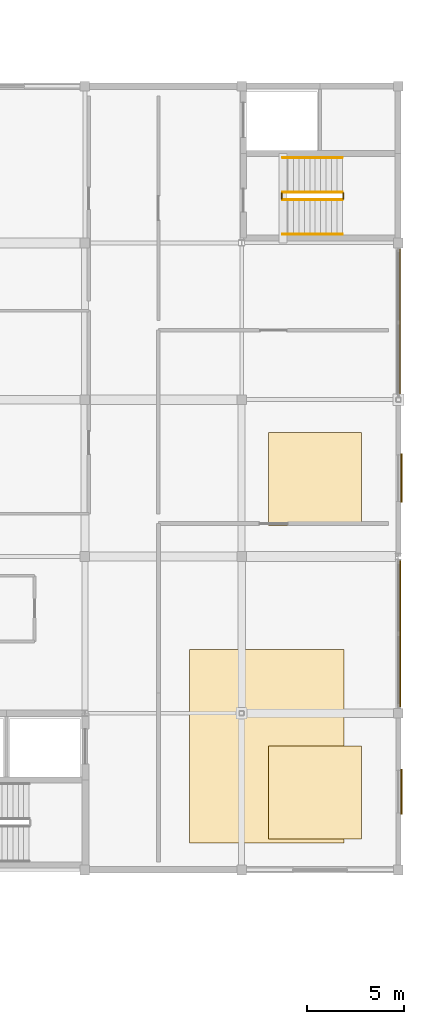
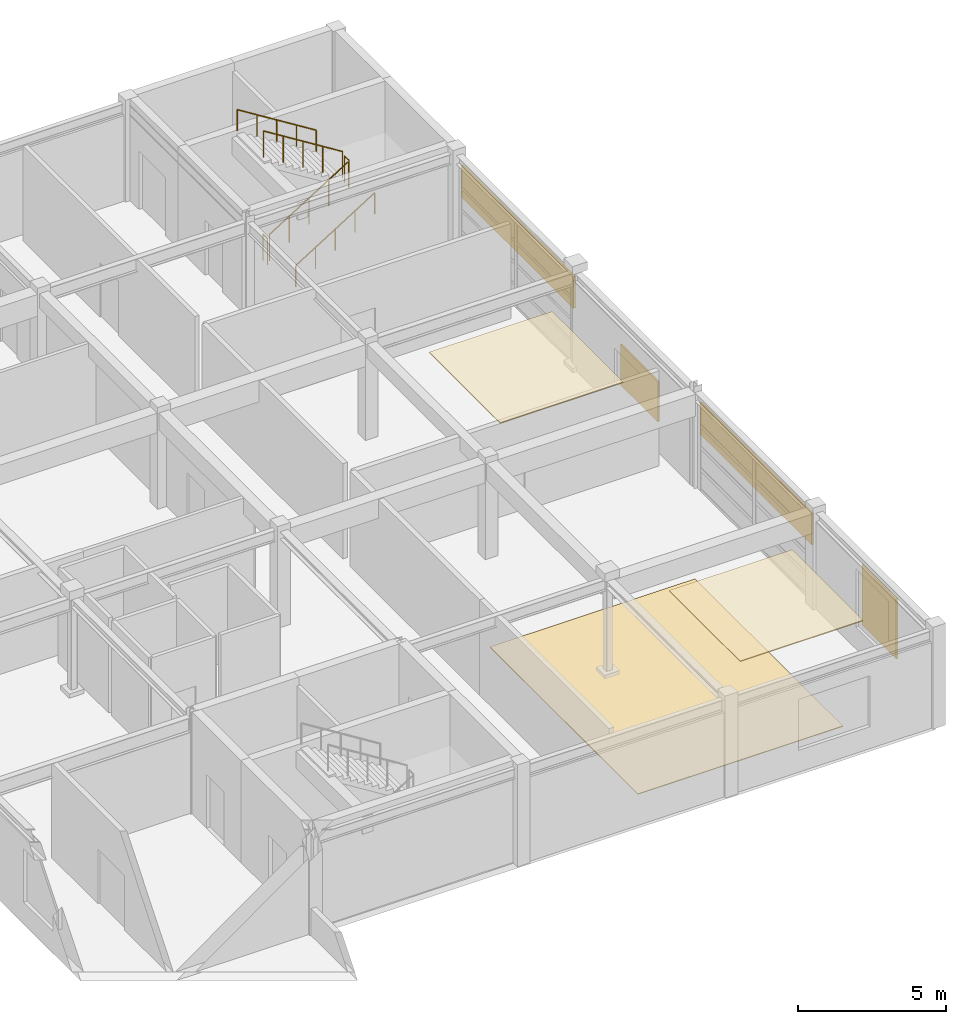
# One storey, part 54 of 54: 6 railings, 4 shading devices, 3 coverings.
"""IFC4 building model written with IfcOpenShell, lengths in metres."""

from ifc_helpers import new_model, si_unit, direction, frame, origin, origin_2d, place, context, subcontext, project, spatial, rectangle, circle, extrude, material, layer, layer_set, type_object, element, save


model = new_model("IFC4")

# Units and contexts
model_context = context("Model", 3, precision=1e-05, world=origin(), true_north=direction((0.0, 1.0)))
body_context = subcontext(model_context, "Body", "Model", "MODEL_VIEW")
ifc_project = project(units=[si_unit("LENGTHUNIT", "METRE"), si_unit("AREAUNIT", "SQUARE_METRE"), si_unit("VOLUMEUNIT", "CUBIC_METRE"), si_unit("PLANEANGLEUNIT", "RADIAN"), si_unit("MASSUNIT", "GRAM", prefix="KILO")], contexts=[model_context])

# Site, building, storey
site_placement = place(None, origin())
site = spatial("IfcSite", under=ifc_project, at=site_placement, CompositionType="ELEMENT")
building_placement = place(site_placement, origin())
building = spatial("IfcBuilding", under=site, at=building_placement, Name="Parian Resonance Hall", CompositionType="ELEMENT")
storey_placement = place(building_placement, frame((0.0, 0.0, 15.0)))
storey = spatial("IfcBuildingStorey", under=building, at=storey_placement, Name="L03", CompositionType="ELEMENT", Elevation=15.0)

# Coverings
ifc_material_1 = material(Name="Perforated mahogany and mineral-wool acoustic ceiling")
ifc_layer_1 = layer(ifc_material_1, 0.0400390625)
ifc_layer_set_1 = layer_set([ifc_layer_1], Name="Perforated mahogany and mineral-wool acoustic ceiling")
covering_type_1 = type_object("IfcCoveringType", Name="COV-CEIL-ACOUSTIC", PredefinedType="CEILING", material=ifc_layer_set_1)
for number, where, z_axis, x_axis, name in (
    (1, (141.5, 52.60009765625, 3.911865234375), (0.0, 0.0, 1.0), (1.0, 0.0, 0.0), "Suspended mahogany acoustic ceiling canopy L03-07"),
    (2, (141.5, 68.800048828125, 3.911865234375), (0.0, 0.0, 1.0), (1.0, 0.0, 0.0), "Suspended mahogany acoustic ceiling canopy L03-08"),
):
    element("IfcCovering", number, at=place(storey_placement, frame(where, z_axis=z_axis, x_axis=x_axis)), inside=storey, type_object=covering_type_1, Name=name, PredefinedType="CEILING", context=body_context, shape_type="SweptSolid", body=[
        extrude(rectangle(XDim=4.800048828125, YDim=4.800048828125, at=origin_2d()), origin(), (0.0, 0.0, 1.0), 0.0400390625),
    ])
ifc_material_2 = material(Name="Sprung Philippine narra hardwood stage flooring", Category="wood")
ifc_layer_2 = layer(ifc_material_2, 0.030029296875)
ifc_layer_set_2 = layer_set([ifc_layer_2], Name="Sprung Philippine narra hardwood stage flooring")
covering_type_2 = type_object("IfcCoveringType", Name="COV-FLOOR-NARRA", PredefinedType="FLOORING", material=ifc_layer_set_2)
covering_placement = place(storey_placement, frame((139.0, 55.0, 0.0), z_axis=(0.0, 0.0, 1.0), x_axis=(1.0, 0.0, 0.0)))
element("IfcCovering", 3, at=covering_placement, inside=storey, type_object=covering_type_2, Name="Choir Rehearsal Room narra flooring", PredefinedType="FLOORING", context=body_context, shape_type="SweptSolid", body=[
    extrude(rectangle(XDim=8.0, YDim=10.0, at=origin_2d()), origin(), (0.0, 0.0, 1.0), 0.030029296875),
])

# Railings
ifc_material_3 = material(Name="Patinated bronze whiplash metalwork")
railing_type_1 = type_object("IfcRailingType", Name="RAIL-STAIR-GRD-1100", PredefinedType="GUARDRAIL", material=ifc_material_3)
railing_1_placement = place(storey_placement, frame((139.820068359375, 83.22998046875, 0.175048828125)))
element("IfcRailing", 4, at=railing_1_placement, inside=storey, type_object=railing_type_1, Name="L03 ST-06 stair guard 1", PredefinedType="GUARDRAIL", context=body_context, shape_type="SweptSolid", body=[
    extrude(circle(Radius=0.02392578125, at=origin_2d()), frame((0.0, 0.0, 1.076171875), z_axis=(0.847979421464, 0.0, 0.530029150871), x_axis=(0.0, 1.0, 0.0)), (0.0, 0.0, 1.0), 3.632080078125),
    extrude(circle(Radius=0.02099609375, at=origin_2d()), origin(), (0.0, 0.0, 1.0), 1.052001953125),
    extrude(circle(Radius=0.02099609375, at=origin_2d()), frame((0.77001953125, 0.0, 0.481201171875)), (0.0, 0.0, 1.0), 1.052001953125),
    extrude(circle(Radius=0.02099609375, at=origin_2d()), frame((1.5400390625, 0.0, 0.96240234375)), (0.0, 0.0, 1.0), 1.052001953125),
    extrude(circle(Radius=0.02099609375, at=origin_2d()), frame((2.309814453125, 0.0, 1.44384765625)), (0.0, 0.0, 1.0), 1.052001953125),
    extrude(circle(Radius=0.02099609375, at=origin_2d()), frame((3.079833984375, 0.0, 1.925048828125)), (0.0, 0.0, 1.0), 1.052001953125),
])
railing_2_placement = place(storey_placement, frame((142.949951171875, 83.280029296875, 2.10009765625)))
element("IfcRailing", 5, at=railing_2_placement, inside=storey, type_object=railing_type_1, Name="L03 ST-06 stair guard 2", PredefinedType="GUARDRAIL", context=body_context, shape_type="SweptSolid", body=[
    extrude(circle(Radius=0.02392578125, at=origin_2d()), frame((0.0, 0.0, 1.076171875), z_axis=(0.0, 1.0, 0.0), x_axis=(-1.0, 0.0, 0.0)), (0.0, 0.0, 1.0), 0.300048828125),
    extrude(circle(Radius=0.02099609375, at=origin_2d()), origin(), (0.0, 0.0, 1.0), 1.052001953125),
    extrude(circle(Radius=0.02099609375, at=origin_2d()), frame((0.0, 0.300048828125, 0.0)), (0.0, 0.0, 1.0), 1.052001953125),
])
railing_3_placement = place(storey_placement, frame((142.89990234375, 83.6298828125, 2.27490234375)))
element("IfcRailing", 6, at=railing_3_placement, inside=storey, type_object=railing_type_1, Name="L03 ST-06 stair guard 3", PredefinedType="GUARDRAIL", context=body_context, shape_type="SweptSolid", body=[
    extrude(circle(Radius=0.02392578125, at=origin_2d()), frame((0.0, 0.0, 1.076171875), z_axis=(-0.847979421464, 0.0, 0.530029150871), x_axis=(0.0, -1.0, 0.0)), (0.0, 0.0, 1.0), 3.632080078125),
    extrude(circle(Radius=0.02099609375, at=origin_2d()), origin(), (0.0, 0.0, 1.0), 1.052001953125),
    extrude(circle(Radius=0.02099609375, at=origin_2d()), frame((-0.77001953125, 0.0, 0.481201171875)), (0.0, 0.0, 1.0), 1.052001953125),
    extrude(circle(Radius=0.02099609375, at=origin_2d()), frame((-1.5400390625, 0.0, 0.96240234375)), (0.0, 0.0, 1.0), 1.052001953125),
    extrude(circle(Radius=0.02099609375, at=origin_2d()), frame((-2.309814453125, 0.0, 1.44384765625)), (0.0, 0.0, 1.0), 1.052001953125),
    extrude(circle(Radius=0.02099609375, at=origin_2d()), frame((-3.079833984375, 0.0, 1.925048828125)), (0.0, 0.0, 1.0), 1.052001953125),
])
railing_4_placement = place(storey_placement, frame((139.77001953125, 83.280029296875, 0.0)))
element("IfcRailing", 7, at=railing_4_placement, inside=storey, type_object=railing_type_1, Name="L03 ST-06 stair guard 4", PredefinedType="GUARDRAIL", context=body_context, shape_type="SweptSolid", body=[
    extrude(circle(Radius=0.02392578125, at=origin_2d()), frame((0.0, 0.0, 1.076171875), z_axis=(0.0, 1.0, 0.0), x_axis=(-1.0, 0.0, 0.0)), (0.0, 0.0, 1.0), 0.300048828125),
    extrude(circle(Radius=0.02099609375, at=origin_2d()), origin(), (0.0, 0.0, 1.0), 1.052001953125),
    extrude(circle(Radius=0.02099609375, at=origin_2d()), frame((0.0, 0.300048828125, 0.0)), (0.0, 0.0, 1.0), 1.052001953125),
])
ifc_material_4 = material(Name="Patinated bronze whiplash metalwork")
railing_type_2 = type_object("IfcRailingType", Name="RAIL-STAIR-HR-900", PredefinedType="HANDRAIL", material=ifc_material_4)
railing_5_placement = place(storey_placement, frame((139.820068359375, 81.449951171875, 0.175048828125)))
element("IfcRailing", 8, at=railing_5_placement, inside=storey, type_object=railing_type_2, Name="L03 ST-06 stair handrail 1", PredefinedType="HANDRAIL", context=body_context, shape_type="SweptSolid", body=[
    extrude(circle(Radius=0.02392578125, at=origin_2d()), frame((0.0, 0.0, 0.8759765625), z_axis=(0.847979421464, 0.0, 0.530029150871), x_axis=(0.0, 1.0, 0.0)), (0.0, 0.0, 1.0), 3.632080078125),
    extrude(circle(Radius=0.02099609375, at=origin_2d()), origin(), (0.0, 0.0, 1.0), 0.851806640625),
    extrude(circle(Radius=0.02099609375, at=origin_2d()), frame((0.77001953125, 0.0, 0.481201171875)), (0.0, 0.0, 1.0), 0.851806640625),
    extrude(circle(Radius=0.02099609375, at=origin_2d()), frame((1.5400390625, 0.0, 0.96240234375)), (0.0, 0.0, 1.0), 0.851806640625),
    extrude(circle(Radius=0.02099609375, at=origin_2d()), frame((2.309814453125, 0.0, 1.44384765625)), (0.0, 0.0, 1.0), 0.851806640625),
    extrude(circle(Radius=0.02099609375, at=origin_2d()), frame((3.079833984375, 0.0, 1.925048828125)), (0.0, 0.0, 1.0), 0.851806640625),
])
railing_6_placement = place(storey_placement, frame((142.89990234375, 85.409912109375, 2.27490234375)))
element("IfcRailing", 9, at=railing_6_placement, inside=storey, type_object=railing_type_2, Name="L03 ST-06 stair handrail 2", PredefinedType="HANDRAIL", context=body_context, shape_type="SweptSolid", body=[
    extrude(circle(Radius=0.02392578125, at=origin_2d()), frame((0.0, 0.0, 0.8759765625), z_axis=(-0.847979421464, 0.0, 0.530029150871), x_axis=(0.0, -1.0, 0.0)), (0.0, 0.0, 1.0), 3.632080078125),
    extrude(circle(Radius=0.02099609375, at=origin_2d()), origin(), (0.0, 0.0, 1.0), 0.851806640625),
    extrude(circle(Radius=0.02099609375, at=origin_2d()), frame((-0.77001953125, 0.0, 0.481201171875)), (0.0, 0.0, 1.0), 0.851806640625),
    extrude(circle(Radius=0.02099609375, at=origin_2d()), frame((-1.5400390625, 0.0, 0.96240234375)), (0.0, 0.0, 1.0), 0.851806640625),
    extrude(circle(Radius=0.02099609375, at=origin_2d()), frame((-2.309814453125, 0.0, 1.44384765625)), (0.0, 0.0, 1.0), 0.851806640625),
    extrude(circle(Radius=0.02099609375, at=origin_2d()), frame((-3.079833984375, 0.0, 1.925048828125)), (0.0, 0.0, 1.0), 0.851806640625),
])

# Shading devices
ifc_material_5 = material(Name="Patinated bronze persiana louver")
ifc_layer_3 = layer(ifc_material_5, 0.080078125)
ifc_layer_set_3 = layer_set([ifc_layer_3], Name="Patinated bronze persiana louver")
shading_device_type_1 = type_object("IfcShadingDeviceType", Name="SHD-PERSIANA-JAL", PredefinedType="JALOUSIE", material=ifc_layer_set_3)
shading_device_1_placement = place(storey_placement, frame((145.87255859375, 60.798095703125, 2.23681640625), z_axis=(0.0, 0.0, 1.0), x_axis=(0.0, -1.0, 0.0)))
element("IfcShadingDevice", 10, at=shading_device_1_placement, inside=storey, type_object=shading_device_type_1, Name="Bronze persiana storm jalousie L03-066", PredefinedType="JALOUSIE", context=body_context, shape_type="SweptSolid", body=[
    extrude(rectangle(XDim=7.535888671875, YDim=0.080078125, at=origin_2d()), origin(), (0.0, 0.0, 1.0), 1.300048828125),
])
shading_device_2_placement = place(storey_placement, frame((145.867431640625, 76.887451171875, 2.23681640625), z_axis=(0.0, 0.0, 1.0), x_axis=(0.0, -1.0, 0.0)))
element("IfcShadingDevice", 11, at=shading_device_2_placement, inside=storey, type_object=shading_device_type_1, Name="Bronze persiana storm jalousie L03-068", PredefinedType="JALOUSIE", context=body_context, shape_type="SweptSolid", body=[
    extrude(rectangle(XDim=7.56494140625, YDim=0.080078125, at=origin_2d()), origin(), (0.0, 0.0, 1.0), 1.300048828125),
])
ifc_material_6 = material(Name="Patinated bronze persiana louver")
ifc_layer_4 = layer(ifc_material_6, 0.06005859375)
ifc_layer_set_4 = layer_set([ifc_layer_4], Name="Patinated bronze persiana louver")
shading_device_type_2 = type_object("IfcShadingDeviceType", Name="SHD-PERSIANA-SHT", PredefinedType="SHUTTER", material=ifc_layer_set_4)
shading_device_3_placement = place(storey_placement, frame((145.962890625, 52.64990234375, 0.860107421875), z_axis=(0.0, 0.0, 1.0), x_axis=(0.0, -1.0, 0.0)))
element("IfcShadingDevice", 12, at=shading_device_3_placement, inside=storey, type_object=shading_device_type_2, Name="Bronze operable persiana shutter L03-065", PredefinedType="SHUTTER", context=body_context, shape_type="SweptSolid", body=[
    extrude(rectangle(XDim=2.320068359375, YDim=0.06005859375, at=origin_2d()), origin(), (0.0, 0.0, 1.0), 2.47998046875),
])
shading_device_4_placement = place(storey_placement, frame((145.962890625, 68.85009765625, 0.85986328125), z_axis=(0.0, 0.0, 1.0), x_axis=(0.0, -1.0, 0.0)))
element("IfcShadingDevice", 13, at=shading_device_4_placement, inside=storey, type_object=shading_device_type_2, Name="Bronze operable persiana shutter L03-067", PredefinedType="SHUTTER", context=body_context, shape_type="SweptSolid", body=[
    extrude(rectangle(XDim=2.52001953125, YDim=0.06005859375, at=origin_2d()), origin(), (0.0, 0.0, 1.0), 1.679931640625),
])

save(model, "model.ifc")
